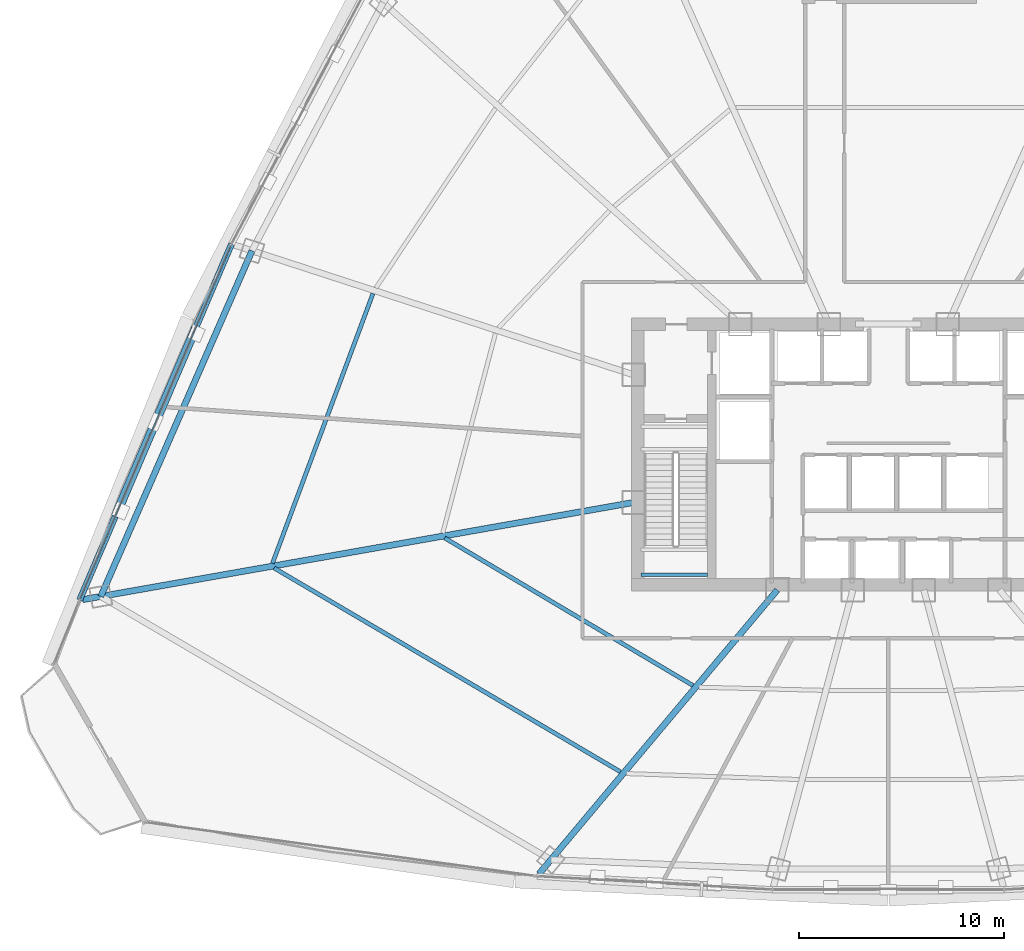
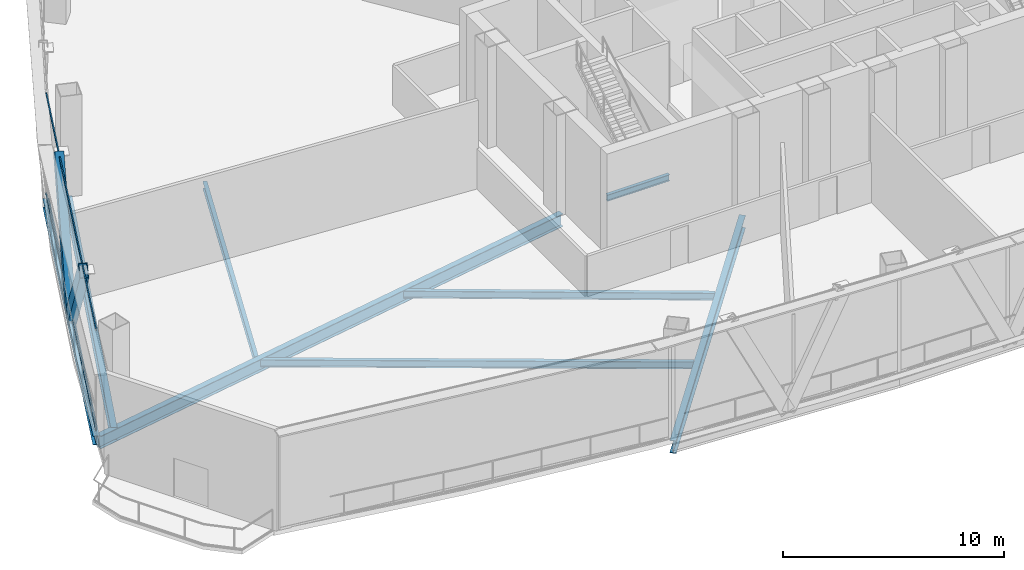
# One storey, part 6 of 36: 8 beams, 4 members, 1 element without a shape of its own.
"""IFC4 building model written with IfcOpenShell, lengths in metres."""

from ifc_helpers import new_model, si_unit, direction, frame, origin, origin_2d, place, context, subcontext, project, spatial, hollow_rectangle, i_section, extrude, source, transform, mapped, material, layer, layer_set, material_profile, profile_set, type_object, element, aggregate, save


model = new_model("IFC4")

# Units and contexts
model_context = context("Model", 3, precision=1e-05, world=origin(), true_north=direction((0.0, 1.0)))
body_context = subcontext(model_context, "Body", "Model", "MODEL_VIEW")
ifc_project = project(units=[si_unit("LENGTHUNIT", "METRE"), si_unit("AREAUNIT", "SQUARE_METRE"), si_unit("VOLUMEUNIT", "CUBIC_METRE"), si_unit("PLANEANGLEUNIT", "RADIAN"), si_unit("MASSUNIT", "GRAM", prefix="KILO"), si_unit("THERMODYNAMICTEMPERATUREUNIT", "KELVIN"), si_unit("POWERUNIT", "WATT")], contexts=[model_context])

# Site, building, storey
site_placement = place(None, origin())
site = spatial("IfcSite", under=ifc_project, at=site_placement, CompositionType="ELEMENT")
building_placement = place(site_placement, origin())
building = spatial("IfcBuilding", under=site, at=building_placement, Name="Yunzhuo Pagoda Commons", CompositionType="ELEMENT")
storey_placement = place(building_placement, frame((0.0, 0.0, 119.179931640625)))
storey = spatial("IfcBuildingStorey", under=building, at=storey_placement, Name="L30", CompositionType="ELEMENT", Elevation=119.179931640625)

# Beams
ifc_material_1 = material(Name="Structural steel Q355B", Category="steel")
ifc_material_profile_1 = material_profile(ifc_material_1, i_section(OverallWidth=0.175048828125, OverallDepth=0.35009765625, WebThickness=0.007080078125, FlangeThickness=0.010986328125, at=origin_2d()), Name="Structural steel Q355B")
ifc_profile_set_1 = profile_set([ifc_material_profile_1], Name="Structural steel Q355B")
beam_type_1 = type_object("IfcBeamType", Name="B-JS2 Joist HN 350x175x7x11", PredefinedType="JOIST", material=ifc_profile_set_1)
shared_shape_1 = source(origin(), body_context, "Body", "SweptSolid", [
    extrude(i_section(OverallWidth=0.175048828125, OverallDepth=0.35009765625, WebThickness=0.007080078125, FlangeThickness=0.010986328125, at=origin_2d()), origin(), (0.0, 0.0, 1.0), 3.25),
])
beam_1_placement = place(storey_placement, frame((35.949951171875, 28.0, 2.55029296875), z_axis=(1.0, 0.0, 0.0), x_axis=(0.0, 1.0, 0.0)))
element("IfcBeam", 1, at=beam_1_placement, inside=storey, type_object=beam_type_1, Name="L30 ST1 landing support beam 36A", PredefinedType="JOIST", context=body_context, shape_type="MappedRepresentation", body=[
    mapped(shared_shape_1, transform((0.0, 0.0, 0.0), scale=1.0)),
])
ifc_material_profile_2 = material_profile(ifc_material_1, i_section(OverallWidth=0.300048828125, OverallDepth=0.699951171875, WebThickness=0.012939453125, FlangeThickness=0.02392578125, at=origin_2d()), Name="Structural steel Q355B")
ifc_profile_set_2 = profile_set([ifc_material_profile_2], Name="Structural steel Q355B")
beam_type_2 = type_object("IfcBeamType", Name="B-RG1 Beam HN 700x300x13x24", PredefinedType="BEAM", material=ifc_profile_set_2)
shared_shape_2 = source(origin(), body_context, "Body", "SweptSolid", [
    extrude(i_section(OverallWidth=0.300048828125, OverallDepth=0.699951171875, WebThickness=0.012939453125, FlangeThickness=0.02392578125, at=origin_2d()), origin(), (0.0, 0.0, 1.0), 18.37158203125),
])
beam_2_placement = place(storey_placement, frame((17.00927734375, 43.76953125, -0.6298828125), z_axis=(-0.400729599795, -0.916196369698, 0.0), x_axis=(0.916196369698, -0.400729599795, 0.0)))
element("IfcBeam", 2, at=beam_2_placement, inside=storey, type_object=beam_type_2, Name="L30 column-ring beam 11", PredefinedType="BEAM", context=body_context, shape_type="MappedRepresentation", body=[
    mapped(shared_shape_2, transform((0.0, 0.0, 0.0), scale=1.0)),
])
ifc_material_profile_3 = material_profile(ifc_material_1, i_section(OverallWidth=0.199951171875, OverallDepth=0.39990234375, WebThickness=0.008056640625, FlangeThickness=0.012939453125, at=origin_2d()), Name="Structural steel Q355B")
ifc_profile_set_3 = profile_set([ifc_material_profile_3], Name="Structural steel Q355B")
beam_type_3 = type_object("IfcBeamType", Name="B-JS1 Joist HN 400x200x8x13", PredefinedType="JOIST", material=ifc_profile_set_3)
shared_shape_3 = source(origin(), body_context, "Body", "SweptSolid", [
    extrude(i_section(OverallWidth=0.199951171875, OverallDepth=0.39990234375, WebThickness=0.008056640625, FlangeThickness=0.012939453125, at=origin_2d()), origin(), (0.0, 0.0, 1.0), 14.061767578125),
])
beam_3_placement = place(storey_placement, frame((26.393798828125, 29.784912109375, -0.47998046875), z_axis=(0.859683443923, -0.510827149088, 0.0), x_axis=(0.510827149088, 0.859683443923, 0.0)))
element("IfcBeam", 3, at=beam_3_placement, inside=storey, type_object=beam_type_3, Name="L30 composite ring joist 1.12", PredefinedType="JOIST", context=body_context, shape_type="MappedRepresentation", body=[
    mapped(shared_shape_3, transform((0.0, 0.0, 0.0), scale=1.0)),
])
shared_shape_4 = source(origin(), body_context, "Body", "SweptSolid", [
    extrude(i_section(OverallWidth=0.199951171875, OverallDepth=0.39990234375, WebThickness=0.008056640625, FlangeThickness=0.012939453125, at=origin_2d()), origin(), (0.0, 0.0, 1.0), 19.568603515625),
])
beam_4_placement = place(storey_placement, frame((18.089111328125, 28.321044921875, -0.47998046875), z_axis=(0.861862685393, -0.50714170754, 0.0), x_axis=(0.50714170754, 0.861862685393, 0.0)))
element("IfcBeam", 4, at=beam_4_placement, inside=storey, type_object=beam_type_3, Name="L30 composite ring joist 2.12", PredefinedType="JOIST", context=body_context, shape_type="MappedRepresentation", body=[
    mapped(shared_shape_4, transform((0.0, 0.0, 0.0), scale=1.0)),
])
shared_shape_5 = source(origin(), body_context, "Body", "SweptSolid", [
    extrude(i_section(OverallWidth=0.199951171875, OverallDepth=0.39990234375, WebThickness=0.008056640625, FlangeThickness=0.012939453125, at=origin_2d()), origin(), (0.0, 0.0, 1.0), 14.018798828125),
])
beam_5_placement = place(storey_placement, frame((22.902587890625, 41.6875, -0.47998046875), z_axis=(-0.349137809065, -0.937071390173, 0.0), x_axis=(0.937071390173, -0.349137809065, 0.0)))
element("IfcBeam", 5, at=beam_5_placement, inside=storey, type_object=beam_type_3, Name="L30 composite ring joist 2.11", PredefinedType="JOIST", context=body_context, shape_type="MappedRepresentation", body=[
    mapped(shared_shape_5, transform((0.0, 0.0, 0.0), scale=1.0)),
])
shared_shape_6 = source(origin(), body_context, "Body", "SweptSolid", [
    extrude(i_section(OverallWidth=0.300048828125, OverallDepth=0.699951171875, WebThickness=0.012939453125, FlangeThickness=0.02392578125, at=origin_2d()), origin(), (0.0, 0.0, 1.0), 18.04541015625),
])
beam_6_placement = place(storey_placement, frame((30.988525390625, 13.426513671875, -0.6298828125), z_axis=(0.642790307328, 0.766042179521, 0.0), x_axis=(-0.766042179521, 0.642790307328, 0.0)))
element("IfcBeam", 6, at=beam_6_placement, inside=storey, type_object=beam_type_2, Name="L30 radial floor girder F1C1", PredefinedType="BEAM", context=body_context, shape_type="MappedRepresentation", body=[
    mapped(shared_shape_6, transform((0.0, 0.0, 0.0), scale=1.0)),
])
shared_shape_7 = source(origin(), body_context, "Body", "SweptSolid", [
    extrude(i_section(OverallWidth=0.300048828125, OverallDepth=0.699951171875, WebThickness=0.012939453125, FlangeThickness=0.02392578125, at=origin_2d()), origin(), (0.0, 0.0, 1.0), 27.248046875),
])
beam_7_placement = place(storey_placement, frame((8.765869140625, 26.781982421875, -0.6298828125), z_axis=(0.984808714366, 0.173642725469, 0.0), x_axis=(-0.173642725469, 0.984808714366, 0.0)))
element("IfcBeam", 7, at=beam_7_placement, inside=storey, type_object=beam_type_2, Name="L30 radial floor girder F3C4", PredefinedType="BEAM", context=body_context, shape_type="MappedRepresentation", body=[
    mapped(shared_shape_7, transform((0.0, 0.0, 0.0), scale=1.0)),
])
ifc_material_profile_4 = material_profile(ifc_material_1, i_section(OverallWidth=0.300048828125, OverallDepth=0.488037109375, WebThickness=0.010986328125, FlangeThickness=0.01806640625, at=origin_2d()), Name="Structural steel Q355B")
ifc_profile_set_4 = profile_set([ifc_material_profile_4], Name="Structural steel Q355B")
beam_type_4 = type_object("IfcBeamType", Name="B-SP1 Beam HM 488x300x11x18", PredefinedType="BEAM", material=ifc_profile_set_4)
shared_shape_8 = source(origin(), body_context, "Body", "SweptSolid", [
    extrude(i_section(OverallWidth=0.300048828125, OverallDepth=0.488037109375, WebThickness=0.010986328125, FlangeThickness=0.01806640625, at=origin_2d()), origin(), (0.0, 0.0, 1.0), 18.850830078125),
])
beam_8_placement = place(storey_placement, frame((16.010498046875, 44.093994140625, -0.52392578125), z_axis=(-0.392407275961, -0.919791568657, 0.0), x_axis=(0.919791568657, -0.392407275961, 0.0)))
element("IfcBeam", 8, at=beam_8_placement, inside=storey, type_object=beam_type_4, Name="L30 facade edge spandrel beam F3.3", PredefinedType="BEAM", context=body_context, shape_type="MappedRepresentation", body=[
    mapped(shared_shape_8, transform((0.0, 0.0, 0.0), scale=1.0)),
])

# Members
ifc_material_2 = material(Name="Structural steel Q420B", Category="steel")
ifc_material_profile_5 = material_profile(ifc_material_2, hollow_rectangle(XDim=0.419921875, YDim=0.719970703125, WallThickness=0.028076171875, at=origin_2d()), Name="Structural steel Q420B")
ifc_profile_set_5 = profile_set([ifc_material_profile_5], Name="Structural steel Q420B")
member_type_1 = type_object("IfcMemberType", Name="M-DL1 Brace BOX 720x420x28", PredefinedType="BRACE", material=ifc_profile_set_5)
shared_shape_9 = source(origin(), body_context, "Body", "SweptSolid", [
    extrude(hollow_rectangle(XDim=0.419921875, YDim=0.719970703125, WallThickness=0.028076171875, at=origin_2d()), origin(), (0.0, 0.0, 1.0), 7.51220703125),
])
for number, where, z_axis, x_axis, name in (
    (9, (12.31201171875, 35.4248046875, -0.280029296875), (0.246185286754, 0.576999812678, 0.778757998839), (-0.91977891608, 0.39243693192, 0.0), "L30 facade diamond brace F3.3L"),
    (10, (12.31201171875, 35.4248046875, -0.280029296875), (-0.2461455243, -0.577047785776, 0.77873502156), (0.919813567061, -0.392355708319, 0.0), "L30 facade diamond brace F3.3R"),
):
    element("IfcMember", number, at=place(storey_placement, frame(where, z_axis=z_axis, x_axis=x_axis)), inside=storey, type_object=member_type_1, Name=name, PredefinedType="BRACE", context=body_context, shape_type="MappedRepresentation", body=[
        mapped(shared_shape_9, transform((0.0, 0.0, 0.0), scale=1.0)),
    ])

# Curtain wall, members
ifc_material_3 = material(Name="Anodized aluminium 6063-T6", Category="aluminium")
ifc_layer = layer(ifc_material_3, 0.1650390625)
ifc_layer_set = layer_set([ifc_layer], Name="Anodized aluminium 6063-T6")
curtain_wall_type = type_object("IfcCurtainWallType", Name="CW-LOW Low-Zone Ribbon Curtain Wall", PredefinedType="NOTDEFINED", material=ifc_layer_set)
curtain_wall_placement = place(storey_placement, origin())
curtain_wall = element("IfcCurtainWall", 11, at=curtain_wall_placement, inside=storey, type_object=curtain_wall_type, Name="L30 curtain wall CW-L30-F3B4", PredefinedType="NOTDEFINED")
ifc_material_profile_6 = material_profile(ifc_material_3, hollow_rectangle(XDim=0.06005859375, YDim=0.139892578125, WallThickness=0.00341796875, at=origin_2d()), Name="Anodized aluminium 6063-T6")
ifc_profile_set_6 = profile_set([ifc_material_profile_6], Name="Anodized aluminium 6063-T6")
member_type_2 = type_object("IfcMemberType", Name="CW-LOW-T Transom RHS 140x60x3.5", PredefinedType="USERDEFINED", material=ifc_profile_set_6)
shared_shape_10 = source(origin(), body_context, "Body", "SweptSolid", [
    extrude(hollow_rectangle(XDim=0.06005859375, YDim=0.139892578125, WallThickness=0.00341796875, at=origin_2d()), origin(), (0.0, 0.0, 1.0), 18.720947265625),
])
member_1_placement = place(storey_placement, frame((15.985107421875, 44.0341796875, 0.030029296875), z_axis=(-0.392418826206, -0.919786640933, 0.0), x_axis=(0.919786640933, -0.392418826206, 0.0)))
member_1 = element("IfcMember", 12, at=member_1_placement, type_object=member_type_2, Name="CW transom 1.1", ObjectType="TRANSOM", PredefinedType="USERDEFINED", context=body_context, shape_type="MappedRepresentation", body=[
    mapped(shared_shape_10, transform((0.0, 0.0, 0.0), scale=1.0)),
])
member_2_placement = place(storey_placement, frame((15.985107421875, 44.0341796875, 5.5400390625), z_axis=(-0.392418826206, -0.919786640933, 0.0), x_axis=(0.919786640933, -0.392418826206, 0.0)))
member_2 = element("IfcMember", 13, at=member_2_placement, type_object=member_type_2, Name="CW transom 1.2", ObjectType="TRANSOM", PredefinedType="USERDEFINED", context=body_context, shape_type="MappedRepresentation", body=[
    mapped(shared_shape_10, transform((0.0, 0.0, 0.0), scale=1.0)),
])
aggregate(curtain_wall, [member_1, member_2])

save(model, "model.ifc")
